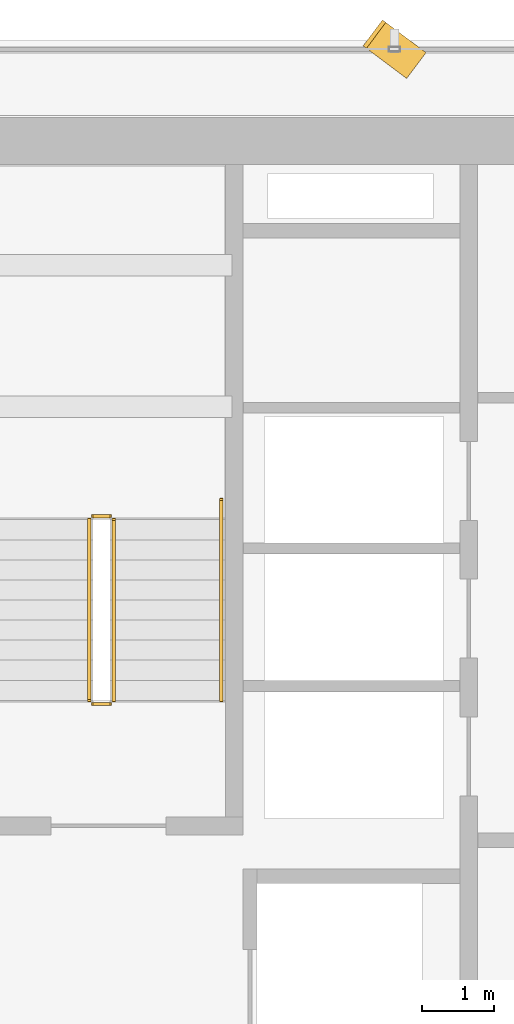
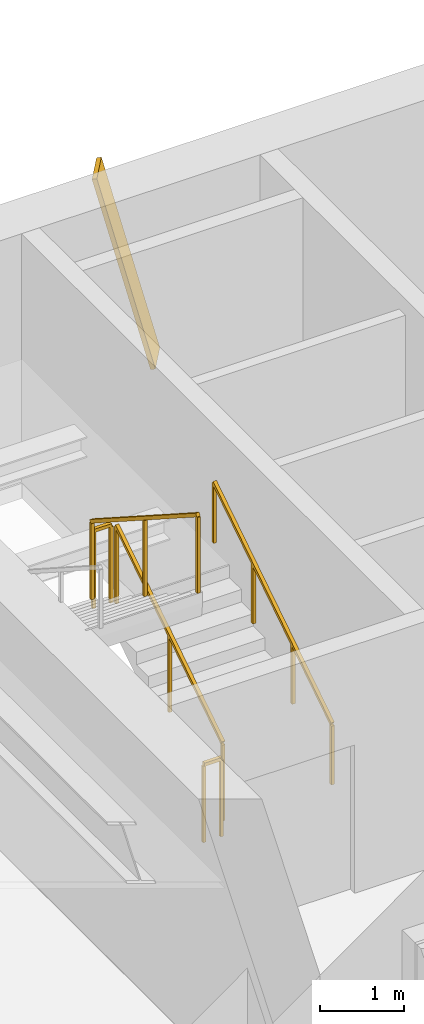
# One storey, part 24 of 27: 5 railings, 1 shading device.
"""IFC4 building model written with IfcOpenShell, lengths in metres."""

from ifc_helpers import new_model, si_unit, direction, frame, origin, origin_2d, place, context, subcontext, project, spatial, rectangle, extrude, source, transform, mapped, material, material_profile, profile_set, type_object, element, save


model = new_model("IFC4")

# Units and contexts
model_context = context("Model", 3, precision=1e-05, world=origin(), true_north=direction((0.0, 1.0)))
body_context = subcontext(model_context, "Body", "Model", "MODEL_VIEW")
ifc_project = project(units=[si_unit("LENGTHUNIT", "METRE"), si_unit("AREAUNIT", "SQUARE_METRE"), si_unit("VOLUMEUNIT", "CUBIC_METRE"), si_unit("PLANEANGLEUNIT", "RADIAN"), si_unit("MASSUNIT", "GRAM", prefix="KILO")], contexts=[model_context])

# Site, building, storey
site_placement = place(None, origin())
site = spatial("IfcSite", under=ifc_project, at=site_placement, CompositionType="ELEMENT")
building_placement = place(site_placement, origin())
building = spatial("IfcBuilding", under=site, at=building_placement, Name="Sumidabori Civic Tower", CompositionType="ELEMENT")
storey_placement = place(building_placement, frame((0.0, 0.0, 138.800048828125)))
storey = spatial("IfcBuildingStorey", under=building, at=storey_placement, Name="L35", CompositionType="ELEMENT", Elevation=138.800048828125)

# Railings
ifc_material_1 = material(Name="Stainless Steel Hairline Finish", Category="steel")
railing_type_1 = type_object("IfcRailingType", Name="RL-HANDRAIL", PredefinedType="HANDRAIL", material=ifc_material_1)
railing_1_placement = place(storey_placement, frame((-11.949951171875, 16.0, 0.179931640625)))
element("IfcRailing", 1, at=railing_1_placement, inside=storey, type_object=railing_type_1, Name="L35 ST-1 stair handrail 1", PredefinedType="HANDRAIL", context=body_context, shape_type="SweptSolid", body=[
    extrude(rectangle(XDim=0.048095703125, YDim=0.048095703125, at=origin_2d()), frame((0.0, 0.0, 0.8759765625), z_axis=(0.0, 0.840675598268, 0.541539046124), x_axis=(-1.0, 0.0, 0.0)), (0.0, 0.0, 1.0), 3.330810546875),
    extrude(rectangle(XDim=0.0419921875, YDim=0.0419921875, at=origin_2d()), origin(), (0.0, 0.0, 1.0), 0.851806640625),
    extrude(rectangle(XDim=0.0419921875, YDim=0.0419921875, at=origin_2d()), frame((0.0, 0.933349609375, 0.601318359375)), (0.0, 0.0, 1.0), 0.851806640625),
    extrude(rectangle(XDim=0.0419921875, YDim=0.0419921875, at=origin_2d()), frame((0.0, 1.86669921875, 1.202392578125)), (0.0, 0.0, 1.0), 0.851806640625),
    extrude(rectangle(XDim=0.0419921875, YDim=0.0419921875, at=origin_2d()), frame((0.0, 2.800048828125, 1.8037109375)), (0.0, 0.0, 1.0), 0.851806640625),
])
ifc_material_2 = material(Name="Steel SN490", Category="steel")
railing_type_2 = type_object("IfcRailingType", Name="RL-STAIR-GUARD", PredefinedType="GUARDRAIL", material=ifc_material_2)
railing_2_placement = place(storey_placement, frame((-13.449951171875, 16.0, 0.179931640625)))
element("IfcRailing", 2, at=railing_2_placement, inside=storey, type_object=railing_type_2, Name="L35 ST-1 stair guard 1", PredefinedType="GUARDRAIL", context=body_context, shape_type="SweptSolid", body=[
    extrude(rectangle(XDim=0.048095703125, YDim=0.048095703125, at=origin_2d()), frame((0.0, 0.0, 1.1259765625), z_axis=(0.0, 0.841162588446, 0.540782303519), x_axis=(-1.0, 0.0, 0.0)), (0.0, 0.0, 1.0), 2.995849609375),
    extrude(rectangle(XDim=0.0419921875, YDim=0.0419921875, at=origin_2d()), origin(), (0.0, 0.0, 1.0), 1.101806640625),
    extrude(rectangle(XDim=0.0419921875, YDim=0.0419921875, at=origin_2d()), frame((0.0, 1.260009765625, 0.81005859375)), (0.0, 0.0, 1.0), 1.101806640625),
    extrude(rectangle(XDim=0.0419921875, YDim=0.0419921875, at=origin_2d()), frame((0.0, 2.52001953125, 1.6201171875)), (0.0, 0.0, 1.0), 1.101806640625),
])
railing_3_placement = place(storey_placement, frame((-13.5, 18.570068359375, 1.800048828125)))
element("IfcRailing", 3, at=railing_3_placement, inside=storey, type_object=railing_type_2, Name="L35 ST-1 stair guard 2", PredefinedType="GUARDRAIL", context=body_context, shape_type="SweptSolid", body=[
    extrude(rectangle(XDim=0.048095703125, YDim=0.048095703125, at=origin_2d()), frame((0.0, 0.0, 1.1259765625), z_axis=(-1.0, 0.0, 0.0), x_axis=(0.0, -1.0, 0.0)), (0.0, 0.0, 1.0), 0.239990234375),
    extrude(rectangle(XDim=0.0419921875, YDim=0.0419921875, at=origin_2d()), origin(), (0.0, 0.0, 1.0), 1.101806640625),
    extrude(rectangle(XDim=0.0419921875, YDim=0.0419921875, at=origin_2d()), frame((-0.239990234375, 0.0, 0.0)), (0.0, 0.0, 1.0), 1.101806640625),
])
railing_4_placement = place(storey_placement, frame((-13.7900390625, 18.52001953125, 1.97998046875)))
element("IfcRailing", 4, at=railing_4_placement, inside=storey, type_object=railing_type_2, Name="L35 ST-1 stair guard 3", PredefinedType="GUARDRAIL", context=body_context, shape_type="SweptSolid", body=[
    extrude(rectangle(XDim=0.048095703125, YDim=0.048095703125, at=origin_2d()), frame((0.0, 0.0, 1.1259765625), z_axis=(0.0, -0.841199657755, 0.540724639528), x_axis=(1.0, 0.0, 0.0)), (0.0, 0.0, 1.0), 2.995849609375),
    extrude(rectangle(XDim=0.0419921875, YDim=0.0419921875, at=origin_2d()), origin(), (0.0, 0.0, 1.0), 1.101806640625),
    extrude(rectangle(XDim=0.0419921875, YDim=0.0419921875, at=origin_2d()), frame((0.0, -1.260009765625, 0.81005859375)), (0.0, 0.0, 1.0), 1.101806640625),
    extrude(rectangle(XDim=0.0419921875, YDim=0.0419921875, at=origin_2d()), frame((0.0, -2.52001953125, 1.619873046875)), (0.0, 0.0, 1.0), 1.101806640625),
])
railing_5_placement = place(storey_placement, frame((-13.5, 15.949951171875, 0.0)))
element("IfcRailing", 5, at=railing_5_placement, inside=storey, type_object=railing_type_2, Name="L35 ST-1 stair guard 4", PredefinedType="GUARDRAIL", context=body_context, shape_type="SweptSolid", body=[
    extrude(rectangle(XDim=0.048095703125, YDim=0.048095703125, at=origin_2d()), frame((0.0, 0.0, 1.1259765625), z_axis=(-1.0, 0.0, 0.0), x_axis=(0.0, -1.0, 0.0)), (0.0, 0.0, 1.0), 0.239990234375),
    extrude(rectangle(XDim=0.0419921875, YDim=0.0419921875, at=origin_2d()), origin(), (0.0, 0.0, 1.0), 1.101806640625),
    extrude(rectangle(XDim=0.0419921875, YDim=0.0419921875, at=origin_2d()), frame((-0.239990234375, 0.0, 0.0)), (0.0, 0.0, 1.0), 1.101806640625),
])

# Shading device
ifc_material_3 = material(Name="Anodised Bronze Aluminium AW-6063-T6", Category="aluminium")
ifc_material_profile = material_profile(ifc_material_3, rectangle(XDim=0.06005859375, YDim=0.449951171875, at=origin_2d()), Name="BRONZE FIN 450x60")
ifc_profile_set = profile_set([ifc_material_profile], Name="Anodised Bronze Aluminium AW-6063-T6")
shading_device_type = type_object("IfcShadingDeviceType", Name="SH-FIN-450", PredefinedType="USERDEFINED", material=ifc_profile_set)
shared_shape = source(origin(), body_context, "Body", "SweptSolid", [
    extrude(rectangle(XDim=0.06005859375, YDim=0.449951171875, at=origin_2d()), origin(), (0.0, 0.0, 1.0), 2.789306640625),
])
shading_device_placement = place(storey_placement, frame((-9.2548828125, 24.8701171875, 0.02001953125), z_axis=(-0.200794136335, 0.150551837182, 0.967995794998), x_axis=(0.774477654896, -0.580689436103, 0.250966413819)))
element("IfcShadingDevice", 6, at=shading_device_placement, inside=storey, type_object=shading_device_type, Name="Bronze Anodised Diagonal Fin L35-03", ObjectType="FIN", PredefinedType="USERDEFINED", context=body_context, shape_type="MappedRepresentation", body=[
    mapped(shared_shape, transform((0.0, 0.0, 0.0), x_axis=(1.0, 0.0, 0.0), y_axis=(0.0, 1.0, 0.0), z_axis=(0.0, 0.0, 1.0), scale=1.0)),
])

save(model, "model.ifc")
